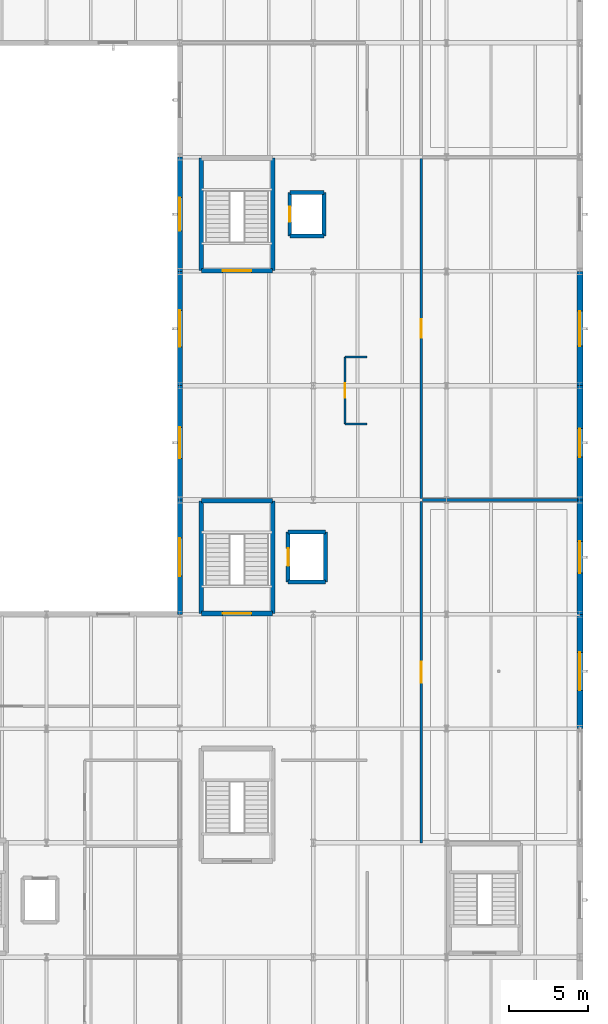
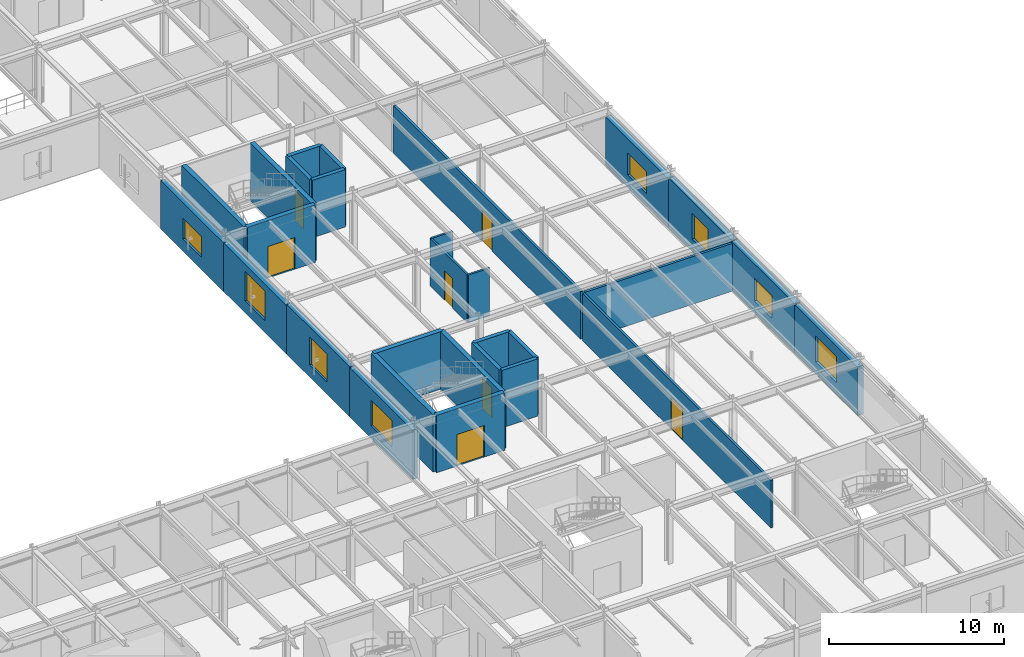
# One storey, part 68 of 109: 29 walls, 8 windows, 7 doors, 15 openings.
"""IFC4 building model written with IfcOpenShell, lengths in metres."""

import ifcopenshell
import ifcopenshell.guid

model = None  # the IFC model being written
_history = None  # IfcOwnerHistory: only IFC2X3 demands one
_inside = {}  # id of a spatial element -> (the spatial element, [elements in it])
_under = {}  # id of a project, library or spatial element -> (it, [spatial elements below it])
_declared = {}  # id of a project -> (the project, [libraries it declares])
_typed = {}  # id of a type object -> (the type object, [elements of that type])
_made_of = {}  # id of a material, layer set ... -> (it, [elements and type objects made of it])


def new_model(schema):
    """Start an empty IFC model of exactly this schema.

    Asked for "IFC4X3", IfcOpenShell would pick the latest addendum, in which some entities
    have other attributes; the version numbers below select the first issue.
    IFC2X3 requires an IfcOwnerHistory on every rooted entity: one is made here for all.
    """
    global model, _history
    if schema == "IFC4X3":
        model = ifcopenshell.file(schema_version=(4, 3, 0, 0))
    else:
        model = ifcopenshell.file(schema=schema)
    _inside.clear()
    _under.clear()
    _declared.clear()
    _typed.clear()
    _made_of.clear()
    _history = None
    if model.schema == "IFC2X3":
        org = make("IfcOrganization", Name="unknown")
        user = make(
            "IfcPersonAndOrganization",
            ThePerson=make("IfcPerson", FamilyName="unknown"),
            TheOrganization=org,
        )
        app = make(
            "IfcApplication",
            ApplicationDeveloper=org,
            Version="unknown",
            ApplicationFullName="unknown",
            ApplicationIdentifier="unknown",
        )
        _history = make(
            "IfcOwnerHistory",
            OwningUser=user,
            OwningApplication=app,
            ChangeAction="ADDED",
            CreationDate=0,
        )
    return model


def make(cls, **values):
    """One entity of the class cls with the attributes given. An attribute that is None is left unset."""
    return model.create_entity(
        cls, **{name: value for name, value in values.items() if value is not None}
    )


def rooted(cls, **values):
    """An entity with a GlobalId (a new one), such as an element, a storey or a relation."""
    return make(cls, GlobalId=ifcopenshell.guid.new(), OwnerHistory=_history, **values)


def si_unit(unit_type, name, prefix=None):
    """IfcSIUnit, for example si_unit("LENGTHUNIT", "METRE", prefix="MILLI")."""
    return make("IfcSIUnit", UnitType=unit_type, Prefix=prefix, Name=name)


def derived_unit(unit_type, elements):
    """IfcDerivedUnit: a product of units, each with its exponent."""
    return make(
        "IfcDerivedUnit",
        Elements=[
            make("IfcDerivedUnitElement", Unit=unit, Exponent=power)
            for unit, power in elements
        ],
        UnitType=unit_type,
    )


def assignment(units):
    """IfcUnitAssignment: the units of a project."""
    return None if units is None else make("IfcUnitAssignment", Units=units)


def point(xyz):
    """IfcCartesianPoint."""
    return None if xyz is None else make("IfcCartesianPoint", Coordinates=xyz)


def direction(xyz):
    """IfcDirection."""
    return None if xyz is None else make("IfcDirection", DirectionRatios=xyz)


def frame(location, z_axis=None, x_axis=None):
    """IfcAxis2Placement3D, a coordinate frame: its origin and axes. An axis left out is left unset."""
    return make(
        "IfcAxis2Placement3D",
        Location=point(location),
        Axis=direction(z_axis),
        RefDirection=direction(x_axis),
    )


def frame_2d(location, x_axis=None):
    """IfcAxis2Placement2D, a coordinate frame in the plane: its origin and x axis."""
    return make(
        "IfcAxis2Placement2D", Location=point(location), RefDirection=direction(x_axis)
    )


def origin():
    """The frame at (0, 0, 0) with its axes left unset."""
    return frame((0.0, 0.0, 0.0))


def place(relative_to, where):
    """IfcLocalPlacement: puts the frame where relative to a parent placement (None: the world)."""
    return make(
        "IfcLocalPlacement", PlacementRelTo=relative_to, RelativePlacement=where
    )


def context(
    kind, dimensions, precision=None, world=None, true_north=None, identifier=None
):
    """IfcGeometricRepresentationContext, for example the 3D "Model" context."""
    return make(
        "IfcGeometricRepresentationContext",
        ContextIdentifier=identifier,
        ContextType=kind,
        CoordinateSpaceDimension=dimensions,
        Precision=precision,
        WorldCoordinateSystem=world,
        TrueNorth=true_north,
    )


def subcontext(parent, identifier, kind, view, scale=None):
    """IfcGeometricRepresentationSubContext, for example "Body" below "Model"."""
    return make(
        "IfcGeometricRepresentationSubContext",
        ContextIdentifier=identifier,
        ContextType=kind,
        ParentContext=parent,
        TargetScale=scale,
        TargetView=view,
    )


def project(units=None, contexts=None):
    """IfcProject with its units and contexts."""
    return rooted(
        "IfcProject",
        Name="project",
        RepresentationContexts=contexts,
        UnitsInContext=assignment(units),
    )


def spatial(cls, under=None, at=None, **own):
    """A site, building, storey or space (cls), placed at a placement, below another one or the project."""
    s = rooted(cls, ObjectPlacement=at, **own)
    if under is not None:
        _under.setdefault(under.id(), (under, []))[1].append(s)
    return s


def profile(cls, at=None, kind="AREA", **sizes):
    """A parametric profile (cls). Its sizes go by their IFC names, for example OverallWidth=200.0."""
    return make(cls, ProfileType=kind, Position=at, **sizes)


def rectangle(**sizes):
    """IfcRectangleProfileDef."""
    return profile("IfcRectangleProfileDef", **sizes)


def extrude(swept, where, along, depth):
    """IfcExtrudedAreaSolid: the profile swept, set in the frame where, extruded along a direction by depth."""
    return make(
        "IfcExtrudedAreaSolid",
        SweptArea=swept,
        Position=where,
        ExtrudedDirection=direction(along),
        Depth=depth,
    )


def shape(context_of_items, identifier, shape_type, items):
    """IfcShapeRepresentation: the items that make up one representation, for example the "Body"."""
    return make(
        "IfcShapeRepresentation",
        ContextOfItems=context_of_items,
        RepresentationIdentifier=identifier,
        RepresentationType=shape_type,
        Items=items,
    )


def material(Name=None, Category=None):
    """IfcMaterial."""
    return make("IfcMaterial", Name=Name, Category=Category)


def layer(
    of_material, thickness, ventilated=None, Name=None, Category=None, Priority=None
):
    """IfcMaterialLayer: one layer of a wall or slab, of a material (None: an air gap)."""
    return make(
        "IfcMaterialLayer",
        Material=of_material,
        LayerThickness=thickness,
        IsVentilated=ventilated,
        Name=Name,
        Category=Category,
        Priority=Priority,
    )


def layer_set(layers, Name=None):
    """IfcMaterialLayerSet."""
    return make("IfcMaterialLayerSet", MaterialLayers=layers, LayerSetName=Name)


def made_of(thing, what):
    """Note that an element or type object is made of a material, layer set ...; save() writes the relation."""
    if what is not None:
        _made_of.setdefault(what.id(), (what, []))[1].append(thing)
    return thing


def type_object(cls, material=None, **own):
    """A type object (cls), such as IfcWallType, which elements share."""
    return made_of(rooted(cls, **own), material)


def element(
    cls,
    number,
    at=None,
    inside=None,
    cuts=None,
    type_object=None,
    material=None,
    context=None,
    identifier="Body",
    shape_type=None,
    held_by="IfcProductDefinitionShape",
    body=None,
    shapes=None,
    **own,
):
    """One element of the class cls, such as IfcWall. Its Tag is "e" and its number.

    at: its placement. inside: the storey or other place that contains it. cuts: it is an
    opening in that element (IfcRelVoidsElement). A single representation is given by context,
    identifier, shape_type and body (its items); several are given by shapes. held_by: the class
    of the entity that holds the representations. save() writes the other relations.
    """
    e = rooted(cls, Tag="e%d" % number, ObjectPlacement=at, **own)
    if body is not None:
        shapes = [shape(context, identifier, shape_type, body)]
    if shapes is not None:
        e.Representation = make(held_by, Representations=shapes)
    if inside is not None:
        _inside.setdefault(inside.id(), (inside, []))[1].append(e)
    if cuts is not None:
        rooted(
            "IfcRelVoidsElement", RelatingBuildingElement=cuts, RelatedOpeningElement=e
        )
    if type_object is not None:
        _typed.setdefault(type_object.id(), (type_object, []))[1].append(e)
    return made_of(e, material)


def fill(opening, filler):
    """IfcRelFillsElement: the door or window that sits in an opening."""
    return rooted(
        "IfcRelFillsElement",
        RelatingOpeningElement=opening,
        RelatedBuildingElement=filler,
    )


def aggregate(whole, parts):
    """IfcRelAggregates: a whole, such as a stair, and the parts it consists of."""
    return rooted("IfcRelAggregates", RelatingObject=whole, RelatedObjects=parts)


def save(model, path):
    """Write the relations noted so far, then the file.

    IfcRelAggregates (storeys below a building ...), IfcRelContainedInSpatialStructure (elements
    in a storey), IfcRelDefinesByType, IfcRelAssociatesMaterial and IfcRelDeclares: one each for
    every whole, place, type object, material and project.
    """
    for whole, parts in _under.values():
        aggregate(whole, parts)
    for where, things in _inside.values():
        rooted(
            "IfcRelContainedInSpatialStructure",
            RelatedElements=things,
            RelatingStructure=where,
        )
    for kind, things in _typed.values():
        rooted("IfcRelDefinesByType", RelatedObjects=things, RelatingType=kind)
    for what, things in _made_of.values():
        rooted("IfcRelAssociatesMaterial", RelatedObjects=things, RelatingMaterial=what)
    for by, libraries in _declared.values():
        rooted("IfcRelDeclares", RelatingContext=by, RelatedDefinitions=libraries)
    model.write(path)


model = new_model("IFC4")

# Units and contexts
model_context = context("Model", 3, precision=1e-05, world=origin(), true_north=direction((0.0, 1.0)))
body_context = subcontext(model_context, "Body", "Model", "MODEL_VIEW")
ifc_project = project(units=[si_unit("LENGTHUNIT", "METRE"), si_unit("AREAUNIT", "SQUARE_METRE"), si_unit("VOLUMEUNIT", "CUBIC_METRE"), si_unit("PLANEANGLEUNIT", "RADIAN"), si_unit("MASSUNIT", "GRAM", prefix="KILO"), derived_unit("THERMALTRANSMITTANCEUNIT", [(si_unit("MASSUNIT", "GRAM", prefix="KILO"), 1), (si_unit("TIMEUNIT", "SECOND"), -3), (si_unit("THERMODYNAMICTEMPERATUREUNIT", "KELVIN"), -1)])], contexts=[model_context])

# Site, building, storey
site_placement = place(None, origin())
site = spatial("IfcSite", under=ifc_project, at=site_placement, CompositionType="ELEMENT")
building_placement = place(site_placement, origin())
building = spatial("IfcBuilding", under=site, at=building_placement, Name="Kharveza Railside Sports Centre", CompositionType="ELEMENT")
storey_placement = place(building_placement, frame((0.0, 0.0, 4.5)))
storey = spatial("IfcBuildingStorey", under=building, at=storey_placement, Name="L01", CompositionType="ELEMENT", Elevation=4.5)

# Wall, opening, window
ifc_material_1 = material(Name="Precast concrete C40/50", Category="concrete")
ifc_layer_1 = layer(ifc_material_1, 0.3798828125, Name="Precast concrete C40/50")
ifc_layer_set_1 = layer_set([ifc_layer_1], Name="Precast concrete C40/50")
wall_type_1 = type_object("IfcWallType", Name="WL-BM380", PredefinedType="SOLIDWALL", material=ifc_layer_set_1)
wall_1_placement = place(storey_placement, frame((168.0, 28.800048828125, 0.0), z_axis=(0.0, 0.0, 1.0), x_axis=(0.0, 1.0, 0.0)))
wall_1 = element("IfcWall", 1, at=wall_1_placement, inside=storey, type_object=wall_type_1, Name="WL-EXT-L01-098", PredefinedType="SOLIDWALL", context=body_context, shape_type="SweptSolid", body=[
    extrude(rectangle(XDim=7.199951171875, YDim=0.3798828125, at=frame_2d((3.60009765625, 0.0))), origin(), (0.0, 0.0, 1.0), 3.385009765625),
])
opening_1_placement = place(wall_1_placement, frame((2.39990234375, 0.0, 0.85009765625)))
opening_1 = element("IfcOpeningElement", 2, at=opening_1_placement, cuts=wall_1, Name="Opening WN04", PredefinedType="OPENING", context=body_context, shape_type="SweptSolid", body=[
    extrude(rectangle(XDim=2.39990234375, YDim=1.800048828125, at=frame_2d((1.199951171875, 0.89990234375))), frame((0.0, 0.21484375, 0.0), z_axis=(0.0, -1.0, 0.0), x_axis=(1.0, 0.0, 0.0)), (0.0, 0.0, 1.0), 0.4296875),
])
ifc_material_2 = material(Name="Low-E solar-control laminated glass", Category="glass")
window_type_1 = type_object("IfcWindowType", Name="WN-F04", PartitioningType="SINGLE_PANEL", PredefinedType="WINDOW", material=ifc_material_2)
window_1_placement = place(opening_1_placement, origin())
window_1 = element("IfcWindow", 3, at=window_1_placement, inside=storey, type_object=window_type_1, Name="WN-EXT-L01-040", OverallHeight=1.800048828125, OverallWidth=2.39990234375, PartitioningType="SINGLE_PANEL", PredefinedType="WINDOW", context=body_context, shape_type="SweptSolid", body=[
    extrude(rectangle(XDim=2.39990234375, YDim=1.800048828125, at=frame_2d((1.199951171875, 0.89990234375))), frame((0.0, 0.030029296875, 0.0), z_axis=(0.0, -1.0, 0.0), x_axis=(1.0, 0.0, 0.0)), (0.0, 0.0, 1.0), 0.06005859375),
])
fill(opening_1, window_1)

wall_2_placement = place(storey_placement, frame((168.0, 36.0, 0.0), z_axis=(0.0, 0.0, 1.0), x_axis=(0.0, 1.0, 0.0)))
wall_2 = element("IfcWall", 4, at=wall_2_placement, inside=storey, type_object=wall_type_1, Name="WL-EXT-L01-099", PredefinedType="SOLIDWALL", context=body_context, shape_type="SweptSolid", body=[
    extrude(rectangle(XDim=7.199951171875, YDim=0.3798828125, at=frame_2d((3.60009765625, 0.0))), origin(), (0.0, 0.0, 1.0), 3.43505859375),
])
opening_2_placement = place(wall_2_placement, frame((2.60009765625, 0.0, 0.85009765625)))
opening_2 = element("IfcOpeningElement", 5, at=opening_2_placement, cuts=wall_2, Name="Opening WN15", PredefinedType="OPENING", context=body_context, shape_type="SweptSolid", body=[
    extrude(rectangle(XDim=2.0, YDim=1.60009765625, at=frame_2d((1.0, 0.800048828125))), frame((0.0, 0.21484375, 0.0), z_axis=(0.0, -1.0, 0.0), x_axis=(1.0, 0.0, 0.0)), (0.0, 0.0, 1.0), 0.4296875),
])
window_type_2 = type_object("IfcWindowType", Name="WN-F15", PartitioningType="SINGLE_PANEL", PredefinedType="WINDOW", material=ifc_material_2)
window_2_placement = place(opening_2_placement, origin())
window_2 = element("IfcWindow", 6, at=window_2_placement, inside=storey, type_object=window_type_2, Name="WN-EXT-L01-041", OverallHeight=1.60009765625, OverallWidth=2.0, PartitioningType="SINGLE_PANEL", PredefinedType="WINDOW", context=body_context, shape_type="SweptSolid", body=[
    extrude(rectangle(XDim=2.0, YDim=1.60009765625, at=frame_2d((1.0, 0.800048828125))), frame((0.0, 0.030029296875, 0.0), z_axis=(0.0, -1.0, 0.0), x_axis=(1.0, 0.0, 0.0)), (0.0, 0.0, 1.0), 0.06005859375),
])
fill(opening_2, window_2)

wall_3_placement = place(storey_placement, frame((168.0, 43.199951171875, 0.0), z_axis=(0.0, 0.0, 1.0), x_axis=(0.0, 1.0, 0.0)))
wall_3 = element("IfcWall", 7, at=wall_3_placement, inside=storey, type_object=wall_type_1, Name="WL-EXT-L01-100", PredefinedType="SOLIDWALL", context=body_context, shape_type="SweptSolid", body=[
    extrude(rectangle(XDim=7.199951171875, YDim=0.3798828125, at=frame_2d((3.60009765625, 0.0))), origin(), (0.0, 0.0, 1.0), 3.485107421875),
])
opening_3_placement = place(wall_3_placement, frame((2.699951171875, 0.0, 0.85009765625)))
opening_3 = element("IfcOpeningElement", 8, at=opening_3_placement, cuts=wall_3, Name="Opening WN05", PredefinedType="OPENING", context=body_context, shape_type="SweptSolid", body=[
    extrude(rectangle(XDim=1.800048828125, YDim=1.800048828125, at=frame_2d((0.89990234375, 0.89990234375))), frame((0.0, 0.21484375, 0.0), z_axis=(0.0, -1.0, 0.0), x_axis=(1.0, 0.0, 0.0)), (0.0, 0.0, 1.0), 0.4296875),
])
window_type_3 = type_object("IfcWindowType", Name="WN-F05", PartitioningType="SINGLE_PANEL", PredefinedType="WINDOW", material=ifc_material_2)
window_3_placement = place(opening_3_placement, origin())
window_3 = element("IfcWindow", 9, at=window_3_placement, inside=storey, type_object=window_type_3, Name="WN-EXT-L01-042", OverallHeight=1.800048828125, OverallWidth=1.800048828125, PartitioningType="SINGLE_PANEL", PredefinedType="WINDOW", context=body_context, shape_type="SweptSolid", body=[
    extrude(rectangle(XDim=1.800048828125, YDim=1.800048828125, at=frame_2d((0.89990234375, 0.89990234375))), frame((0.0, 0.030029296875, 0.0), z_axis=(0.0, -1.0, 0.0), x_axis=(1.0, 0.0, 0.0)), (0.0, 0.0, 1.0), 0.06005859375),
])
fill(opening_3, window_3)

wall_4_placement = place(storey_placement, frame((168.0, 50.39990234375, 0.0), z_axis=(0.0, 0.0, 1.0), x_axis=(0.0, 1.0, 0.0)))
wall_4 = element("IfcWall", 10, at=wall_4_placement, inside=storey, type_object=wall_type_1, Name="WL-EXT-L01-101", PredefinedType="SOLIDWALL", context=body_context, shape_type="SweptSolid", body=[
    extrude(rectangle(XDim=7.2001953125, YDim=0.3798828125, at=frame_2d((3.60009765625, 0.0))), origin(), (0.0, 0.0, 1.0), 3.385009765625),
])
opening_4_placement = place(wall_4_placement, frame((2.5, 0.0, 0.85009765625)))
opening_4 = element("IfcOpeningElement", 11, at=opening_4_placement, cuts=wall_4, Name="Opening WN22", PredefinedType="OPENING", context=body_context, shape_type="SweptSolid", body=[
    extrude(rectangle(XDim=2.199951171875, YDim=1.550048828125, at=frame_2d((1.10009765625, 0.77490234375))), frame((0.0, 0.21484375, 0.0), z_axis=(0.0, -1.0, 0.0), x_axis=(1.0, 0.0, 0.0)), (0.0, 0.0, 1.0), 0.4296875),
])
window_type_4 = type_object("IfcWindowType", Name="WN-Z06", PartitioningType="SINGLE_PANEL", PredefinedType="WINDOW", material=ifc_material_2)
window_4_placement = place(opening_4_placement, origin())
window_4 = element("IfcWindow", 12, at=window_4_placement, inside=storey, type_object=window_type_4, Name="WN-EXT-L01-043", OverallHeight=1.550048828125, OverallWidth=2.199951171875, PartitioningType="SINGLE_PANEL", PredefinedType="WINDOW", context=body_context, shape_type="SweptSolid", body=[
    extrude(rectangle(XDim=2.199951171875, YDim=1.550048828125, at=frame_2d((1.10009765625, 0.77490234375))), frame((0.0, 0.030029296875, 0.0), z_axis=(0.0, -1.0, 0.0), x_axis=(1.0, 0.0, 0.0)), (0.0, 0.0, 1.0), 0.06005859375),
])
fill(opening_4, window_4)

# Walls
ifc_material_3 = material(Name="Concrete C35/45", Category="concrete")
ifc_layer_2 = layer(ifc_material_3, 0.25, Name="Concrete C35/45")
ifc_layer_set_2 = layer_set([ifc_layer_2], Name="Concrete C35/45")
wall_type_2 = type_object("IfcWallType", Name="WL-CR250", PredefinedType="SHEAR", material=ifc_layer_set_2)
wall_5_placement = place(storey_placement, frame((149.625, 38.02490234375, 0.0), z_axis=(0.0, 0.0, 1.0), x_axis=(1.0, 0.0, 0.0)))
element("IfcWall", 13, at=wall_5_placement, inside=storey, type_object=wall_type_2, Name="WL-LFSH-LF1-L01-S", PredefinedType="SHEAR", context=body_context, shape_type="SweptSolid", body=[
    extrude(rectangle(XDim=2.35009765625, YDim=0.25, at=frame_2d((1.175048828125, 0.0))), origin(), (0.0, 0.0, 1.0), 4.0),
])
wall_6_placement = place(storey_placement, frame((151.97509765625, 38.02490234375, 0.0), z_axis=(0.0, 0.0, 1.0), x_axis=(0.0, 1.0, 0.0)))
element("IfcWall", 14, at=wall_6_placement, inside=storey, type_object=wall_type_2, Name="WL-LFSH-LF1-L01-E", PredefinedType="SHEAR", context=body_context, shape_type="SweptSolid", body=[
    extrude(rectangle(XDim=3.150146484375, YDim=0.25, at=frame_2d((1.5751953125, 0.0))), origin(), (0.0, 0.0, 1.0), 4.0),
])
wall_7_placement = place(storey_placement, frame((151.97509765625, 41.175048828125, 0.0), z_axis=(0.0, 0.0, 1.0), x_axis=(-1.0, 0.0, 0.0)))
element("IfcWall", 15, at=wall_7_placement, inside=storey, type_object=wall_type_2, Name="WL-LFSH-LF1-L01-N", PredefinedType="SHEAR", context=body_context, shape_type="SweptSolid", body=[
    extrude(rectangle(XDim=2.35009765625, YDim=0.25, at=frame_2d((1.175048828125, 0.0))), origin(), (0.0, 0.0, 1.0), 4.0),
])

# Wall, opening, door
wall_8_placement = place(storey_placement, frame((149.625, 41.175048828125, 0.0), z_axis=(0.0, 0.0, 1.0), x_axis=(0.0, -1.0, 0.0)))
wall_8 = element("IfcWall", 16, at=wall_8_placement, inside=storey, type_object=wall_type_2, Name="WL-LFSH-LF1-L01-W", PredefinedType="SHEAR", context=body_context, shape_type="SweptSolid", body=[
    extrude(rectangle(XDim=3.150146484375, YDim=0.25, at=frame_2d((1.5751953125, 0.0))), origin(), (0.0, 0.0, 1.0), 4.0),
])
opening_5_placement = place(wall_8_placement, frame((1.02490234375, 0.0, 0.0)))
opening_5 = element("IfcOpeningElement", 17, at=opening_5_placement, cuts=wall_8, Name="Opening D11", PredefinedType="OPENING", context=body_context, shape_type="SweptSolid", body=[
    extrude(rectangle(XDim=1.10009765625, YDim=2.10009765625, at=frame_2d((0.550048828125, 1.050048828125))), frame((0.0, 0.14990234375, 0.0), z_axis=(0.0, -1.0, 0.0), x_axis=(1.0, 0.0, 0.0)), (0.0, 0.0, 1.0), 0.2998046875),
])
ifc_material_4 = material(Name="Brushed stainless steel landing door", Category="steel")
door_type_1 = type_object("IfcDoorType", Name="DR-LF01", OperationType="NOTDEFINED", PredefinedType="DOOR", material=ifc_material_4)
door_1_placement = place(opening_5_placement, origin())
door_1 = element("IfcDoor", 18, at=door_1_placement, inside=storey, type_object=door_type_1, Name="DR-LD-LF1-L01", OperationType="SLIDING_TO_LEFT", OverallHeight=2.10009765625, OverallWidth=1.10009765625, PredefinedType="DOOR", context=body_context, shape_type="SweptSolid", body=[
    extrude(rectangle(XDim=1.10009765625, YDim=2.10009765625, at=frame_2d((0.550048828125, 1.050048828125))), frame((0.0, 0.02490234375, 0.0), z_axis=(0.0, -1.0, 0.0), x_axis=(1.0, 0.0, 0.0)), (0.0, 0.0, 1.0), 0.050048828125),
])
fill(opening_5, door_1)

# Walls
wall_9_placement = place(storey_placement, frame((149.72509765625, 59.824951171875, 0.0), z_axis=(0.0, 0.0, 1.0), x_axis=(1.0, 0.0, 0.0)))
element("IfcWall", 19, at=wall_9_placement, inside=storey, type_object=wall_type_2, Name="WL-LFSH-LF2-L01-S", PredefinedType="SHEAR", context=body_context, shape_type="SweptSolid", body=[
    extrude(rectangle(XDim=2.14990234375, YDim=0.25, at=frame_2d((1.074951171875, 0.0))), origin(), (0.0, 0.0, 1.0), 4.0),
])
wall_10_placement = place(storey_placement, frame((151.875, 59.824951171875, 0.0), z_axis=(0.0, 0.0, 1.0), x_axis=(0.0, 1.0, 0.0)))
element("IfcWall", 20, at=wall_10_placement, inside=storey, type_object=wall_type_2, Name="WL-LFSH-LF2-L01-E", PredefinedType="SHEAR", context=body_context, shape_type="SweptSolid", body=[
    extrude(rectangle(XDim=2.75, YDim=0.25, at=frame_2d((1.375, 0.0))), origin(), (0.0, 0.0, 1.0), 4.0),
])
wall_11_placement = place(storey_placement, frame((151.875, 62.574951171875, 0.0), z_axis=(0.0, 0.0, 1.0), x_axis=(-1.0, 0.0, 0.0)))
element("IfcWall", 21, at=wall_11_placement, inside=storey, type_object=wall_type_2, Name="WL-LFSH-LF2-L01-N", PredefinedType="SHEAR", context=body_context, shape_type="SweptSolid", body=[
    extrude(rectangle(XDim=2.14990234375, YDim=0.25, at=frame_2d((1.074951171875, 0.0))), origin(), (0.0, 0.0, 1.0), 4.0),
])

# Wall, opening, door
wall_12_placement = place(storey_placement, frame((149.72509765625, 62.574951171875, 0.0), z_axis=(0.0, 0.0, 1.0), x_axis=(0.0, -1.0, 0.0)))
wall_12 = element("IfcWall", 22, at=wall_12_placement, inside=storey, type_object=wall_type_2, Name="WL-LFSH-LF2-L01-W", PredefinedType="SHEAR", context=body_context, shape_type="SweptSolid", body=[
    extrude(rectangle(XDim=2.75, YDim=0.25, at=frame_2d((1.375, 0.0))), origin(), (0.0, 0.0, 1.0), 4.0),
])
opening_6_placement = place(wall_12_placement, frame((0.89990234375, 0.0, 0.0)))
opening_6 = element("IfcOpeningElement", 23, at=opening_6_placement, cuts=wall_12, Name="Opening D12", PredefinedType="OPENING", context=body_context, shape_type="SweptSolid", body=[
    extrude(rectangle(XDim=0.949951171875, YDim=2.10009765625, at=frame_2d((0.47509765625, 1.050048828125))), frame((0.0, 0.14990234375, 0.0), z_axis=(0.0, -1.0, 0.0), x_axis=(1.0, 0.0, 0.0)), (0.0, 0.0, 1.0), 0.2998046875),
])
door_type_2 = type_object("IfcDoorType", Name="DR-LF02", OperationType="NOTDEFINED", PredefinedType="DOOR", material=ifc_material_4)
door_2_placement = place(opening_6_placement, origin())
door_2 = element("IfcDoor", 24, at=door_2_placement, inside=storey, type_object=door_type_2, Name="DR-LD-LF2-L01", OperationType="SLIDING_TO_LEFT", OverallHeight=2.10009765625, OverallWidth=0.949951171875, PredefinedType="DOOR", context=body_context, shape_type="SweptSolid", body=[
    extrude(rectangle(XDim=0.949951171875, YDim=2.10009765625, at=frame_2d((0.47509765625, 1.050048828125))), frame((0.0, 0.02490234375, 0.0), z_axis=(0.0, -1.0, 0.0), x_axis=(1.0, 0.0, 0.0)), (0.0, 0.0, 1.0), 0.050048828125),
])
fill(opening_6, door_2)

ifc_layer_3 = layer(ifc_material_3, 0.300048828125, Name="Concrete C35/45")
ifc_layer_set_3 = layer_set([ifc_layer_3], Name="Concrete C35/45")
wall_type_3 = type_object("IfcWallType", Name="WL-CR300", PredefinedType="SHEAR", material=ifc_layer_set_3)
wall_13_placement = place(storey_placement, frame((144.14990234375, 36.050048828125, 0.0), z_axis=(0.0, 0.0, 1.0), x_axis=(1.0, 0.0, 0.0)))
wall_13 = element("IfcWall", 25, at=wall_13_placement, inside=storey, type_object=wall_type_3, Name="WL-CORE-ST1-L01-S", PredefinedType="SHEAR", context=body_context, shape_type="SweptSolid", body=[
    extrude(rectangle(XDim=4.5, YDim=0.300048828125, at=frame_2d((2.25, 0.0))), origin(), (0.0, 0.0, 1.0), 4.0),
])
opening_7_placement = place(wall_13_placement, frame((1.35009765625, 0.0, 0.0)))
opening_7 = element("IfcOpeningElement", 26, at=opening_7_placement, cuts=wall_13, Name="Opening D08", PredefinedType="OPENING", context=body_context, shape_type="SweptSolid", body=[
    extrude(rectangle(XDim=1.800048828125, YDim=2.199951171875, at=frame_2d((0.89990234375, 1.10009765625))), frame((0.0, 0.1748046875, 0.0), z_axis=(0.0, -1.0, 0.0), x_axis=(1.0, 0.0, 0.0)), (0.0, 0.0, 1.0), 0.349853515625),
])
ifc_material_5 = material(Name="Fire-rated hardwood door leaf", Category="wood")
door_type_3 = type_object("IfcDoorType", Name="DR-ST01", OperationType="NOTDEFINED", PredefinedType="DOOR", material=ifc_material_5)
door_3_placement = place(opening_7_placement, frame((1.800048828125, 0.0, 0.0), z_axis=(0.0, 0.0, 1.0), x_axis=(-1.0, 0.0, 0.0)))
door_3 = element("IfcDoor", 27, at=door_3_placement, inside=storey, type_object=door_type_3, Name="DR-ST-ST1-L01", OperationType="DOUBLE_DOOR_SINGLE_SWING", OverallHeight=2.199951171875, OverallWidth=1.800048828125, PredefinedType="DOOR", context=body_context, shape_type="SweptSolid", body=[
    extrude(rectangle(XDim=1.800048828125, YDim=2.199951171875, at=frame_2d((0.89990234375, 1.10009765625))), frame((0.0, 0.02490234375, 0.0), z_axis=(0.0, -1.0, 0.0), x_axis=(1.0, 0.0, 0.0)), (0.0, 0.0, 1.0), 0.050048828125),
])
fill(opening_7, door_3)

# Walls
wall_14_placement = place(storey_placement, frame((148.64990234375, 36.050048828125, 0.0), z_axis=(0.0, 0.0, 1.0), x_axis=(0.0, 1.0, 0.0)))
element("IfcWall", 28, at=wall_14_placement, inside=storey, type_object=wall_type_3, Name="WL-CORE-ST1-L01-E", PredefinedType="SHEAR", context=body_context, shape_type="SweptSolid", body=[
    extrude(rectangle(XDim=7.099853515625, YDim=0.300048828125, at=frame_2d((3.5498046875, 0.0))), origin(), (0.0, 0.0, 1.0), 4.0),
])
wall_15_placement = place(storey_placement, frame((148.64990234375, 43.14990234375, 0.0), z_axis=(0.0, 0.0, 1.0), x_axis=(-1.0, 0.0, 0.0)))
element("IfcWall", 29, at=wall_15_placement, inside=storey, type_object=wall_type_3, Name="WL-CORE-ST1-L01-N", PredefinedType="SHEAR", context=body_context, shape_type="SweptSolid", body=[
    extrude(rectangle(XDim=4.5, YDim=0.300048828125, at=frame_2d((2.25, 0.0))), origin(), (0.0, 0.0, 1.0), 4.0),
])
wall_16_placement = place(storey_placement, frame((144.14990234375, 43.14990234375, 0.0), z_axis=(0.0, 0.0, 1.0), x_axis=(0.0, -1.0, 0.0)))
element("IfcWall", 30, at=wall_16_placement, inside=storey, type_object=wall_type_3, Name="WL-CORE-ST1-L01-W", PredefinedType="SHEAR", context=body_context, shape_type="SweptSolid", body=[
    extrude(rectangle(XDim=7.099853515625, YDim=0.300048828125, at=frame_2d((3.5498046875, 0.0))), origin(), (0.0, 0.0, 1.0), 4.0),
])

# Wall, opening, door
wall_17_placement = place(storey_placement, frame((144.14990234375, 57.64990234375, 0.0), z_axis=(0.0, 0.0, 1.0), x_axis=(1.0, 0.0, 0.0)))
wall_17 = element("IfcWall", 31, at=wall_17_placement, inside=storey, type_object=wall_type_3, Name="WL-CORE-ST2-L01-S", PredefinedType="SHEAR", context=body_context, shape_type="SweptSolid", body=[
    extrude(rectangle(XDim=4.5, YDim=0.300048828125, at=frame_2d((2.25, 0.0))), origin(), (0.0, 0.0, 1.0), 4.0),
])
opening_8_placement = place(wall_17_placement, frame((1.35009765625, 0.0, 0.0)))
opening_8 = element("IfcOpeningElement", 32, at=opening_8_placement, cuts=wall_17, Name="Opening D08", PredefinedType="OPENING", context=body_context, shape_type="SweptSolid", body=[
    extrude(rectangle(XDim=1.800048828125, YDim=2.199951171875, at=frame_2d((0.89990234375, 1.10009765625))), frame((0.0, 0.1748046875, 0.0), z_axis=(0.0, -1.0, 0.0), x_axis=(1.0, 0.0, 0.0)), (0.0, 0.0, 1.0), 0.349853515625),
])
door_4_placement = place(opening_8_placement, frame((1.800048828125, 0.0, 0.0), z_axis=(0.0, 0.0, 1.0), x_axis=(-1.0, 0.0, 0.0)))
door_4 = element("IfcDoor", 33, at=door_4_placement, inside=storey, type_object=door_type_3, Name="DR-ST-ST2-L01", OperationType="DOUBLE_DOOR_SINGLE_SWING", OverallHeight=2.199951171875, OverallWidth=1.800048828125, PredefinedType="DOOR", context=body_context, shape_type="SweptSolid", body=[
    extrude(rectangle(XDim=1.800048828125, YDim=2.199951171875, at=frame_2d((0.89990234375, 1.10009765625))), frame((0.0, 0.02490234375, 0.0), z_axis=(0.0, -1.0, 0.0), x_axis=(1.0, 0.0, 0.0)), (0.0, 0.0, 1.0), 0.050048828125),
])
fill(opening_8, door_4)

# Walls
for number, where, z_axis, x_axis, name in (
    (34, (148.64990234375, 57.64990234375, 0.0), (0.0, 0.0, 1.0), (0.0, 1.0, 0.0), "WL-CORE-ST2-L01-E"),
    (35, (144.14990234375, 64.75, 0.0), (0.0, 0.0, 1.0), (0.0, -1.0, 0.0), "WL-CORE-ST2-L01-W"),
):
    element("IfcWall", number, at=place(storey_placement, frame(where, z_axis=z_axis, x_axis=x_axis)), inside=storey, type_object=wall_type_3, Name=name, PredefinedType="SHEAR", context=body_context, shape_type="SweptSolid", body=[
        extrude(rectangle(XDim=7.10009765625, YDim=0.300048828125, at=frame_2d((3.550048828125, 0.0))), origin(), (0.0, 0.0, 1.0), 4.0),
    ])

# Wall, opening, window
ifc_layer_4 = layer(ifc_material_1, 0.320068359375, Name="Precast concrete C40/50")
ifc_layer_set_4 = layer_set([ifc_layer_4], Name="Precast concrete C40/50")
wall_type_4 = type_object("IfcWallType", Name="WL-EX320", PredefinedType="STANDARD", material=ifc_layer_set_4)
wall_18_placement = place(storey_placement, frame((142.800048828125, 64.800048828125, 0.0), z_axis=(0.0, 0.0, 1.0), x_axis=(0.0, -1.0, 0.0)))
wall_18 = element("IfcWall", 36, at=wall_18_placement, inside=storey, type_object=wall_type_4, Name="WL-EXT-L01-130", PredefinedType="STANDARD", context=body_context, shape_type="SweptSolid", body=[
    extrude(rectangle(XDim=7.199951171875, YDim=0.320068359375, at=frame_2d((3.60009765625, 0.0))), origin(), (0.0, 0.0, 1.0), 3.385009765625),
])
opening_9_placement = place(wall_18_placement, frame((2.550048828125, 0.0, 0.85009765625)))
opening_9 = element("IfcOpeningElement", 37, at=opening_9_placement, cuts=wall_18, Name="Opening WN23", PredefinedType="OPENING", context=body_context, shape_type="SweptSolid", body=[
    extrude(rectangle(XDim=2.10009765625, YDim=1.449951171875, at=frame_2d((1.050048828125, 0.72509765625))), frame((0.0, 0.18505859375, 0.0), z_axis=(0.0, -1.0, 0.0), x_axis=(1.0, 0.0, 0.0)), (0.0, 0.0, 1.0), 0.369873046875),
])
window_type_5 = type_object("IfcWindowType", Name="WN-Z07", PartitioningType="SINGLE_PANEL", PredefinedType="WINDOW", material=ifc_material_2)
window_5_placement = place(opening_9_placement, origin())
window_5 = element("IfcWindow", 38, at=window_5_placement, inside=storey, type_object=window_type_5, Name="WN-EXT-L01-062", OverallHeight=1.449951171875, OverallWidth=2.10009765625, PartitioningType="SINGLE_PANEL", PredefinedType="WINDOW", context=body_context, shape_type="SweptSolid", body=[
    extrude(rectangle(XDim=2.10009765625, YDim=1.449951171875, at=frame_2d((1.050048828125, 0.72509765625))), frame((0.0, 0.030029296875, 0.0), z_axis=(0.0, -1.0, 0.0), x_axis=(1.0, 0.0, 0.0)), (0.0, 0.0, 1.0), 0.06005859375),
])
fill(opening_9, window_5)

wall_19_placement = place(storey_placement, frame((142.800048828125, 57.60009765625, 0.0), z_axis=(0.0, 0.0, 1.0), x_axis=(0.0, -1.0, 0.0)))
wall_19 = element("IfcWall", 39, at=wall_19_placement, inside=storey, type_object=wall_type_4, Name="WL-EXT-L01-131", PredefinedType="STANDARD", context=body_context, shape_type="SweptSolid", body=[
    extrude(rectangle(XDim=7.2001953125, YDim=0.320068359375, at=frame_2d((3.60009765625, 0.0))), origin(), (0.0, 0.0, 1.0), 3.385009765625),
])
opening_10_placement = place(wall_19_placement, frame((2.449951171875, 0.0, 0.85009765625)))
opening_10 = element("IfcOpeningElement", 40, at=opening_10_placement, cuts=wall_19, Name="Opening WN29", PredefinedType="OPENING", context=body_context, shape_type="SweptSolid", body=[
    extrude(rectangle(XDim=2.300048828125, YDim=2.050048828125, at=frame_2d((1.14990234375, 1.02490234375))), frame((0.0, 0.18505859375, 0.0), z_axis=(0.0, -1.0, 0.0), x_axis=(1.0, 0.0, 0.0)), (0.0, 0.0, 1.0), 0.369873046875),
])
window_type_6 = type_object("IfcWindowType", Name="WN-Z13", PartitioningType="SINGLE_PANEL", PredefinedType="WINDOW", material=ifc_material_2)
window_6_placement = place(opening_10_placement, origin())
window_6 = element("IfcWindow", 41, at=window_6_placement, inside=storey, type_object=window_type_6, Name="WN-EXT-L01-063", OverallHeight=2.050048828125, OverallWidth=2.300048828125, PartitioningType="SINGLE_PANEL", PredefinedType="WINDOW", context=body_context, shape_type="SweptSolid", body=[
    extrude(rectangle(XDim=2.300048828125, YDim=2.050048828125, at=frame_2d((1.14990234375, 1.02490234375))), frame((0.0, 0.030029296875, 0.0), z_axis=(0.0, -1.0, 0.0), x_axis=(1.0, 0.0, 0.0)), (0.0, 0.0, 1.0), 0.06005859375),
])
fill(opening_10, window_6)

wall_20_placement = place(storey_placement, frame((142.800048828125, 50.39990234375, 0.0), z_axis=(0.0, 0.0, 1.0), x_axis=(0.0, -1.0, 0.0)))
wall_20 = element("IfcWall", 42, at=wall_20_placement, inside=storey, type_object=wall_type_4, Name="WL-EXT-L01-132", PredefinedType="STANDARD", context=body_context, shape_type="SweptSolid", body=[
    extrude(rectangle(XDim=7.199951171875, YDim=0.320068359375, at=frame_2d((3.60009765625, 0.0))), origin(), (0.0, 0.0, 1.0), 3.485107421875),
])
opening_11_placement = place(wall_20_placement, frame((2.625, 0.0, 0.85009765625)))
opening_11 = element("IfcOpeningElement", 43, at=opening_11_placement, cuts=wall_20, Name="Opening WN30", PredefinedType="OPENING", context=body_context, shape_type="SweptSolid", body=[
    extrude(rectangle(XDim=1.949951171875, YDim=1.949951171875, at=frame_2d((0.97509765625, 0.97509765625))), frame((0.0, 0.18505859375, 0.0), z_axis=(0.0, -1.0, 0.0), x_axis=(1.0, 0.0, 0.0)), (0.0, 0.0, 1.0), 0.369873046875),
])
window_type_7 = type_object("IfcWindowType", Name="WN-Z14", PartitioningType="SINGLE_PANEL", PredefinedType="WINDOW", material=ifc_material_2)
window_7_placement = place(opening_11_placement, origin())
window_7 = element("IfcWindow", 44, at=window_7_placement, inside=storey, type_object=window_type_7, Name="WN-EXT-L01-064", OverallHeight=1.949951171875, OverallWidth=1.949951171875, PartitioningType="SINGLE_PANEL", PredefinedType="WINDOW", context=body_context, shape_type="SweptSolid", body=[
    extrude(rectangle(XDim=1.949951171875, YDim=1.949951171875, at=frame_2d((0.97509765625, 0.97509765625))), frame((0.0, 0.030029296875, 0.0), z_axis=(0.0, -1.0, 0.0), x_axis=(1.0, 0.0, 0.0)), (0.0, 0.0, 1.0), 0.06005859375),
])
fill(opening_11, window_7)

wall_21_placement = place(storey_placement, frame((142.800048828125, 43.199951171875, 0.0), z_axis=(0.0, 0.0, 1.0), x_axis=(0.0, -1.0, 0.0)))
wall_21 = element("IfcWall", 45, at=wall_21_placement, inside=storey, type_object=wall_type_4, Name="WL-EXT-L01-133", PredefinedType="STANDARD", context=body_context, shape_type="SweptSolid", body=[
    extrude(rectangle(XDim=7.199951171875, YDim=0.320068359375, at=frame_2d((3.60009765625, 0.0))), origin(), (0.0, 0.0, 1.0), 3.43505859375),
])
opening_12_placement = place(wall_21_placement, frame((2.39990234375, 0.0, 0.85009765625)))
opening_12 = element("IfcOpeningElement", 46, at=opening_12_placement, cuts=wall_21, Name="Opening WN04", PredefinedType="OPENING", context=body_context, shape_type="SweptSolid", body=[
    extrude(rectangle(XDim=2.39990234375, YDim=1.800048828125, at=frame_2d((1.199951171875, 0.89990234375))), frame((0.0, 0.18505859375, 0.0), z_axis=(0.0, -1.0, 0.0), x_axis=(1.0, 0.0, 0.0)), (0.0, 0.0, 1.0), 0.369873046875),
])
window_8_placement = place(opening_12_placement, origin())
window_8 = element("IfcWindow", 47, at=window_8_placement, inside=storey, type_object=window_type_1, Name="WN-EXT-L01-065", OverallHeight=1.800048828125, OverallWidth=2.39990234375, PartitioningType="SINGLE_PANEL", PredefinedType="WINDOW", context=body_context, shape_type="SweptSolid", body=[
    extrude(rectangle(XDim=2.39990234375, YDim=1.800048828125, at=frame_2d((1.199951171875, 0.89990234375))), frame((0.0, 0.030029296875, 0.0), z_axis=(0.0, -1.0, 0.0), x_axis=(1.0, 0.0, 0.0)), (0.0, 0.0, 1.0), 0.06005859375),
])
fill(opening_12, window_8)

# Wall, opening, door
ifc_layer_5 = layer(ifc_material_3, 0.1298828125, Name="Concrete C35/45")
ifc_layer_set_5 = layer_set([ifc_layer_5], Name="Concrete C35/45")
wall_type_5 = type_object("IfcWallType", Name="WL-PT130", PredefinedType="PARTITIONING", material=ifc_layer_set_5)
wall_22_placement = place(storey_placement, frame((153.199951171875, 48.0, 0.0), z_axis=(0.0, 0.0, 1.0), x_axis=(0.0, 1.0, 0.0)))
wall_22 = element("IfcWall", 48, at=wall_22_placement, inside=storey, type_object=wall_type_5, Name="WL-INT-L01-070", PredefinedType="PARTITIONING", context=body_context, shape_type="SweptSolid", body=[
    extrude(rectangle(XDim=4.199951171875, YDim=0.1298828125, at=frame_2d((2.10009765625, 0.0))), origin(), (0.0, 0.0, 1.0), 3.320068359375),
])
opening_13_placement = place(wall_22_placement, frame((1.64990234375, 0.0, 0.0)))
opening_13 = element("IfcOpeningElement", 49, at=opening_13_placement, cuts=wall_22, Name="Opening D24", PredefinedType="OPENING", context=body_context, shape_type="SweptSolid", body=[
    extrude(rectangle(XDim=0.89990234375, YDim=2.050048828125, at=frame_2d((0.449951171875, 1.02490234375))), frame((0.0, 0.08984375, 0.0), z_axis=(0.0, -1.0, 0.0), x_axis=(1.0, 0.0, 0.0)), (0.0, 0.0, 1.0), 0.1796875),
])
door_type_4 = type_object("IfcDoorType", Name="DR-TP02", OperationType="NOTDEFINED", PredefinedType="TRAPDOOR", material=ifc_material_5)
door_5_placement = place(opening_13_placement, origin())
door_5 = element("IfcDoor", 50, at=door_5_placement, inside=storey, type_object=door_type_4, Name="DR-INT-L01-040", OperationType="SINGLE_SWING_LEFT", OverallHeight=2.050048828125, OverallWidth=0.89990234375, PredefinedType="TRAPDOOR", context=body_context, shape_type="SweptSolid", body=[
    extrude(rectangle(XDim=0.89990234375, YDim=2.050048828125, at=frame_2d((0.449951171875, 1.02490234375))), frame((0.0, 0.02490234375, 0.0), z_axis=(0.0, -1.0, 0.0), x_axis=(1.0, 0.0, 0.0)), (0.0, 0.0, 1.0), 0.050048828125),
])
fill(opening_13, door_5)

# Walls
for number, where, z_axis, x_axis, name in (
    (51, (153.199951171875, 52.199951171875, 0.0), (0.0, 0.0, 1.0), (1.0, 0.0, 0.0), "WL-INT-L01-071"),
    (52, (153.199951171875, 48.0, 0.0), (0.0, 0.0, 1.0), (1.0, 0.0, 0.0), "WL-INT-L01-072"),
):
    element("IfcWall", number, at=place(storey_placement, frame(where, z_axis=z_axis, x_axis=x_axis)), inside=storey, type_object=wall_type_5, Name=name, PredefinedType="PARTITIONING", context=body_context, shape_type="SweptSolid", body=[
        extrude(rectangle(XDim=1.400146484375, YDim=0.1298828125, at=frame_2d((0.7001953125, 0.0))), origin(), (0.0, 0.0, 1.0), 3.320068359375),
    ])

# Wall, opening, door
ifc_material_6 = material(Name="Gypsum board acoustic stud partition")
ifc_layer_6 = layer(ifc_material_6, 0.14501953125, Name="Gypsum board acoustic stud partition")
ifc_layer_set_6 = layer_set([ifc_layer_6], Name="Gypsum board acoustic stud partition")
wall_type_6 = type_object("IfcWallType", Name="WL-PT145", PredefinedType="PARTITIONING", material=ifc_layer_set_6)
wall_23_placement = place(storey_placement, frame((158.0, 21.60009765625, 0.0), z_axis=(0.0, 0.0, 1.0), x_axis=(0.0, 1.0, 0.0)))
wall_23 = element("IfcWall", 53, at=wall_23_placement, inside=storey, type_object=wall_type_6, Name="WL-INT-L01-060", PredefinedType="PARTITIONING", context=body_context, shape_type="SweptSolid", body=[
    extrude(rectangle(XDim=21.5, YDim=0.14501953125, at=frame_2d((10.75, 0.0))), origin(), (0.0, 0.0, 1.0), 3.320068359375),
])
opening_14_placement = place(wall_23_placement, frame((10.074951171875, 0.0, 0.0)))
opening_14 = element("IfcOpeningElement", 54, at=opening_14_placement, cuts=wall_23, Name="Opening D16", PredefinedType="OPENING", context=body_context, shape_type="SweptSolid", body=[
    extrude(rectangle(XDim=1.35009765625, YDim=2.199951171875, at=frame_2d((0.675048828125, 1.10009765625))), frame((0.0, 0.097412109375, 0.0), z_axis=(0.0, -1.0, 0.0), x_axis=(1.0, 0.0, 0.0)), (0.0, 0.0, 1.0), 0.19482421875),
])
door_type_5 = type_object("IfcDoorType", Name="DR-IN04", OperationType="NOTDEFINED", PredefinedType="DOOR", material=ifc_material_5)
door_6_placement = place(opening_14_placement, origin())
door_6 = element("IfcDoor", 55, at=door_6_placement, inside=storey, type_object=door_type_5, Name="DR-INT-L01-034", OperationType="SINGLE_SWING_LEFT", OverallHeight=2.199951171875, OverallWidth=1.35009765625, PredefinedType="DOOR", context=body_context, shape_type="SweptSolid", body=[
    extrude(rectangle(XDim=1.35009765625, YDim=2.199951171875, at=frame_2d((0.675048828125, 1.10009765625))), frame((0.0, 0.02490234375, 0.0), z_axis=(0.0, -1.0, 0.0), x_axis=(1.0, 0.0, 0.0)), (0.0, 0.0, 1.0), 0.050048828125),
])
fill(opening_14, door_6)

ifc_layer_7 = layer(ifc_material_3, 0.159912109375, Name="Concrete C35/45")
ifc_layer_set_7 = layer_set([ifc_layer_7], Name="Concrete C35/45")
wall_type_7 = type_object("IfcWallType", Name="WL-PT160", PredefinedType="PARTITIONING", material=ifc_layer_set_7)
wall_24_placement = place(storey_placement, frame((158.0, 43.300048828125, 0.0), z_axis=(0.0, 0.0, 1.0), x_axis=(0.0, 1.0, 0.0)))
wall_24 = element("IfcWall", 56, at=wall_24_placement, inside=storey, type_object=wall_type_7, Name="WL-INT-L01-061", PredefinedType="PARTITIONING", context=body_context, shape_type="SweptSolid", body=[
    extrude(rectangle(XDim=21.39990234375, YDim=0.159912109375, at=frame_2d((10.699951171875, 0.0))), origin(), (0.0, 0.0, 1.0), 3.320068359375),
])
opening_15_placement = place(wall_24_placement, frame((10.125, 0.0, 0.0)))
opening_15 = element("IfcOpeningElement", 57, at=opening_15_placement, cuts=wall_24, Name="Opening D17", PredefinedType="OPENING", context=body_context, shape_type="SweptSolid", body=[
    extrude(rectangle(XDim=1.14990234375, YDim=2.14990234375, at=frame_2d((0.574951171875, 1.074951171875))), frame((0.0, 0.10498046875, 0.0), z_axis=(0.0, -1.0, 0.0), x_axis=(1.0, 0.0, 0.0)), (0.0, 0.0, 1.0), 0.209716796875),
])
door_type_6 = type_object("IfcDoorType", Name="DR-IN05", OperationType="NOTDEFINED", PredefinedType="DOOR", material=ifc_material_5)
door_7_placement = place(opening_15_placement, origin())
door_7 = element("IfcDoor", 58, at=door_7_placement, inside=storey, type_object=door_type_6, Name="DR-INT-L01-035", OperationType="SINGLE_SWING_RIGHT", OverallHeight=2.14990234375, OverallWidth=1.14990234375, PredefinedType="DOOR", context=body_context, shape_type="SweptSolid", body=[
    extrude(rectangle(XDim=1.14990234375, YDim=2.14990234375, at=frame_2d((0.574951171875, 1.074951171875))), frame((0.0, 0.02490234375, 0.0), z_axis=(0.0, -1.0, 0.0), x_axis=(1.0, 0.0, 0.0)), (0.0, 0.0, 1.0), 0.050048828125),
])
fill(opening_15, door_7)

# Wall
wall_25_placement = place(storey_placement, frame((158.10009765625, 43.199951171875, 0.0), z_axis=(0.0, 0.0, 1.0), x_axis=(1.0, 0.0, 0.0)))
element("IfcWall", 59, at=wall_25_placement, inside=storey, type_object=wall_type_7, Name="WL-INT-L01-062", PredefinedType="PARTITIONING", context=body_context, shape_type="SweptSolid", body=[
    extrude(rectangle(XDim=9.75, YDim=0.159912109375, at=frame_2d((4.875, 0.0))), origin(), (0.0, 0.0, 1.0), 3.320068359375),
])

save(model, "model.ifc")
